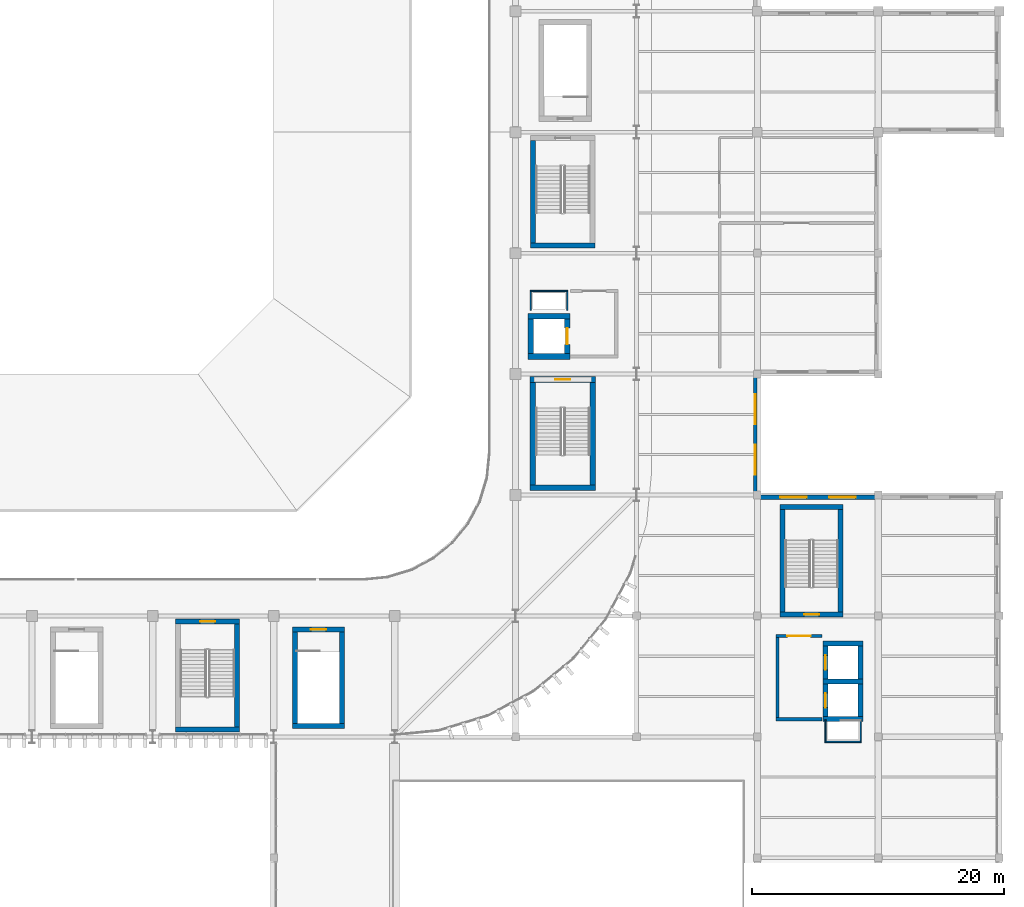
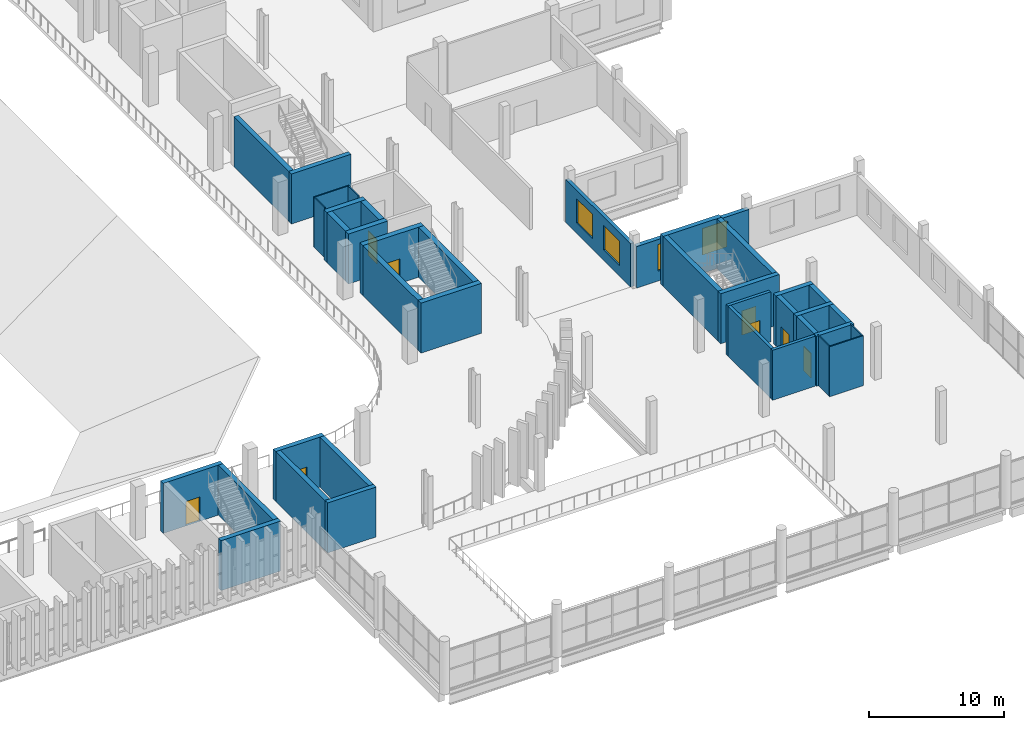
# One storey, part 63 of 99: 39 walls, 8 doors, 4 windows, 12 openings.
"""IFC4 building model written with IfcOpenShell, lengths in metres."""

from ifc_helpers import new_model, si_unit, direction, frame, frame_2d, origin, place, context, subcontext, project, spatial, rectangle, extrude, material, layer, layer_set, type_object, element, fill, save


model = new_model("IFC4")

# Units and contexts
model_context = context("Model", 3, precision=1e-05, world=origin(), true_north=direction((0.0, 1.0)))
body_context = subcontext(model_context, "Body", "Model", "MODEL_VIEW")
ifc_project = project(units=[si_unit("LENGTHUNIT", "METRE"), si_unit("AREAUNIT", "SQUARE_METRE"), si_unit("VOLUMEUNIT", "CUBIC_METRE"), si_unit("PLANEANGLEUNIT", "RADIAN"), si_unit("MASSUNIT", "GRAM", prefix="KILO")], contexts=[model_context])

# Site, building, storey
site_placement = place(None, origin())
site = spatial("IfcSite", under=ifc_project, at=site_placement, CompositionType="ELEMENT")
building_placement = place(site_placement, origin())
building = spatial("IfcBuilding", under=site, at=building_placement, Name="Caelomonte Colonnade Arena", CompositionType="ELEMENT")
storey_placement = place(building_placement, frame((0.0, 0.0, 4.800048828125)))
storey = spatial("IfcBuildingStorey", under=building, at=storey_placement, Name="L01", CompositionType="ELEMENT", Elevation=4.800048828125)

# Wall, openings, windows
ifc_material_1 = material(Name="Precast concrete C40/50", Category="concrete")
ifc_layer_1 = layer(ifc_material_1, 0.2900390625)
ifc_layer_set_1 = layer_set([ifc_layer_1], Name="Precast concrete C40/50")
wall_type_1 = type_object("IfcWallType", Name="ENV-WL-EXT29", PredefinedType="SOLIDWALL", material=ifc_layer_set_1)
wall_1_placement = place(storey_placement, frame((172.6201171875, 38.39990234375, 0.0), z_axis=(0.0, 0.0, 1.0), x_axis=(0.0, 1.0, 0.0)))
wall_1 = element("IfcWall", 1, at=wall_1_placement, inside=storey, type_object=wall_type_1, Name="L01 exterior wall EW-L01-0189", PredefinedType="SOLIDWALL", context=body_context, shape_type="SweptSolid", body=[
    extrude(rectangle(XDim=9.60009765625, YDim=0.2900390625, at=frame_2d((4.800048828125, 0.0))), origin(), (0.0, 0.0, 1.0), 3.912841796875),
])
opening_1_placement = place(wall_1_placement, frame((4.0, 0.0, 0.949951171875), z_axis=(0.0, 0.0, 1.0), x_axis=(-1.0, 0.0, 0.0)))
opening_1 = element("IfcOpeningElement", 2, at=opening_1_placement, cuts=wall_1, Name="Opening WN-04", PredefinedType="OPENING", context=body_context, shape_type="SweptSolid", body=[
    extrude(rectangle(XDim=2.39990234375, YDim=2.199951171875, at=frame_2d((1.199951171875, 1.10009765625))), frame((0.0, 0.155029296875, 0.0), z_axis=(0.0, -1.0, 0.0), x_axis=(1.0, 0.0, 0.0)), (0.0, 0.0, 1.0), 0.31005859375),
])
opening_2_placement = place(wall_1_placement, frame((8.0, 0.0, 0.949951171875), z_axis=(0.0, 0.0, 1.0), x_axis=(-1.0, 0.0, 0.0)))
opening_2 = element("IfcOpeningElement", 3, at=opening_2_placement, cuts=wall_1, Name="Opening WN-04", PredefinedType="OPENING", context=body_context, shape_type="SweptSolid", body=[
    extrude(rectangle(XDim=2.39990234375, YDim=2.199951171875, at=frame_2d((1.199951171875, 1.10009765625))), frame((0.0, 0.155029296875, 0.0), z_axis=(0.0, -1.0, 0.0), x_axis=(1.0, 0.0, 0.0)), (0.0, 0.0, 1.0), 0.31005859375),
])
ifc_material_2 = material(Name="Solar-control bronze low-E double glazing", Category="glass")
window_type_1 = type_object("IfcWindowType", Name="ENV-WN-V4A", PartitioningType="DOUBLE_PANEL_VERTICAL", PredefinedType="WINDOW", material=ifc_material_2)
window_1_placement = place(opening_1_placement, origin())
window_1 = element("IfcWindow", 4, at=window_1_placement, inside=storey, type_object=window_type_1, Name="L01 facade window 79", OverallHeight=2.199951171875, OverallWidth=2.39990234375, PartitioningType="SINGLE_PANEL", PredefinedType="WINDOW", context=body_context, shape_type="SweptSolid", body=[
    extrude(rectangle(XDim=2.39990234375, YDim=2.199951171875, at=frame_2d((1.199951171875, 1.10009765625))), frame((0.0, 0.030029296875, 0.0), z_axis=(0.0, -1.0, 0.0), x_axis=(1.0, 0.0, 0.0)), (0.0, 0.0, 1.0), 0.06005859375),
])
fill(opening_1, window_1)
window_2_placement = place(opening_2_placement, origin())
window_2 = element("IfcWindow", 5, at=window_2_placement, inside=storey, type_object=window_type_1, Name="L01 facade window 80", OverallHeight=2.199951171875, OverallWidth=2.39990234375, PartitioningType="SINGLE_PANEL", PredefinedType="WINDOW", context=body_context, shape_type="SweptSolid", body=[
    extrude(rectangle(XDim=2.39990234375, YDim=2.199951171875, at=frame_2d((1.199951171875, 1.10009765625))), frame((0.0, 0.030029296875, 0.0), z_axis=(0.0, -1.0, 0.0), x_axis=(1.0, 0.0, 0.0)), (0.0, 0.0, 1.0), 0.06005859375),
])
fill(opening_2, window_2)

ifc_layer_2 = layer(ifc_material_1, 0.360107421875)
ifc_layer_set_2 = layer_set([ifc_layer_2], Name="Precast concrete C40/50")
wall_type_2 = type_object("IfcWallType", Name="ENV-WL-EXT36", PredefinedType="SOLIDWALL", material=ifc_layer_set_2)
wall_2_placement = place(storey_placement, frame((182.39990234375, 38.219970703125, 0.0), z_axis=(0.0, 0.0, 1.0), x_axis=(-1.0, 0.0, 0.0)))
wall_2 = element("IfcWall", 6, at=wall_2_placement, inside=storey, type_object=wall_type_2, Name="L01 exterior wall EW-L01-0188", PredefinedType="SOLIDWALL", context=body_context, shape_type="SweptSolid", body=[
    extrude(rectangle(XDim=9.599853515625, YDim=0.360107421875, at=frame_2d((4.7998046875, 0.0))), origin(), (0.0, 0.0, 1.0), 3.758056640625),
])
opening_3_placement = place(wall_2_placement, frame((3.900146484375, 0.0, 0.89990234375), z_axis=(0.0, 0.0, 1.0), x_axis=(-1.0, 0.0, 0.0)))
opening_3 = element("IfcOpeningElement", 7, at=opening_3_placement, cuts=wall_2, Name="Opening WN-02", PredefinedType="OPENING", context=body_context, shape_type="SweptSolid", body=[
    extrude(rectangle(XDim=2.10009765625, YDim=2.39990234375, at=frame_2d((1.050048828125, 1.199951171875))), frame((0.0, 0.18994140625, 0.0), z_axis=(0.0, -1.0, 0.0), x_axis=(1.0, 0.0, 0.0)), (0.0, 0.0, 1.0), 0.380126953125),
])
opening_4_placement = place(wall_2_placement, frame((7.800048828125, 0.0, 0.89990234375), z_axis=(0.0, 0.0, 1.0), x_axis=(-1.0, 0.0, 0.0)))
opening_4 = element("IfcOpeningElement", 8, at=opening_4_placement, cuts=wall_2, Name="Opening WN-02", PredefinedType="OPENING", context=body_context, shape_type="SweptSolid", body=[
    extrude(rectangle(XDim=2.10009765625, YDim=2.39990234375, at=frame_2d((1.050048828125, 1.199951171875))), frame((0.0, 0.18994140625, 0.0), z_axis=(0.0, -1.0, 0.0), x_axis=(1.0, 0.0, 0.0)), (0.0, 0.0, 1.0), 0.380126953125),
])
window_type_2 = type_object("IfcWindowType", Name="ENV-WN-V3B", PartitioningType="DOUBLE_PANEL_VERTICAL", PredefinedType="WINDOW", material=ifc_material_2)
window_3_placement = place(opening_3_placement, origin())
window_3 = element("IfcWindow", 9, at=window_3_placement, inside=storey, type_object=window_type_2, Name="L01 facade window 77", OverallHeight=2.39990234375, OverallWidth=2.10009765625, PartitioningType="SINGLE_PANEL", PredefinedType="WINDOW", context=body_context, shape_type="SweptSolid", body=[
    extrude(rectangle(XDim=2.10009765625, YDim=2.39990234375, at=frame_2d((1.050048828125, 1.199951171875))), frame((0.0, 0.030029296875, 0.0), z_axis=(0.0, -1.0, 0.0), x_axis=(1.0, 0.0, 0.0)), (0.0, 0.0, 1.0), 0.06005859375),
])
fill(opening_3, window_3)
window_4_placement = place(opening_4_placement, origin())
window_4 = element("IfcWindow", 10, at=window_4_placement, inside=storey, type_object=window_type_2, Name="L01 facade window 78", OverallHeight=2.39990234375, OverallWidth=2.10009765625, PartitioningType="SINGLE_PANEL", PredefinedType="WINDOW", context=body_context, shape_type="SweptSolid", body=[
    extrude(rectangle(XDim=2.10009765625, YDim=2.39990234375, at=frame_2d((1.050048828125, 1.199951171875))), frame((0.0, 0.030029296875, 0.0), z_axis=(0.0, -1.0, 0.0), x_axis=(1.0, 0.0, 0.0)), (0.0, 0.0, 1.0), 0.06005859375),
])
fill(opening_4, window_4)

# Wall
ifc_material_3 = material(Name="Concrete C40/50", Category="concrete")
ifc_layer_3 = layer(ifc_material_3, 0.260009765625)
ifc_layer_set_3 = layer_set([ifc_layer_3], Name="Concrete C40/50")
wall_type_3 = type_object("IfcWallType", Name="INT-WL-FW26", PredefinedType="SOLIDWALL", material=ifc_layer_set_3)
wall_3_placement = place(storey_placement, frame((174.27001953125, 20.60009765625, 0.0), z_axis=(0.0, 0.0, 1.0), x_axis=(1.0, 0.0, 0.0)))
element("IfcWall", 11, at=wall_3_placement, inside=storey, type_object=wall_type_3, Name="FW-C5-LB L01 south enclosure wall", PredefinedType="SOLIDWALL", context=body_context, shape_type="SweptSolid", body=[
    extrude(rectangle(XDim=3.659912109375, YDim=0.260009765625, at=frame_2d((1.830078125, 0.0))), origin(), (0.0, 0.0, 1.0), 4.52001953125),
])

# Wall, opening, door
wall_4_placement = place(storey_placement, frame((177.929931640625, 27.199951171875, 0.0), z_axis=(0.0, 0.0, 1.0), x_axis=(-1.0, 0.0, 0.0)))
wall_4 = element("IfcWall", 12, at=wall_4_placement, inside=storey, type_object=wall_type_3, Name="FW-C5-LB L01 north enclosure wall", PredefinedType="SOLIDWALL", context=body_context, shape_type="SweptSolid", body=[
    extrude(rectangle(XDim=3.659912109375, YDim=0.260009765625, at=frame_2d((1.830078125, 0.0))), origin(), (0.0, 0.0, 1.0), 4.52001953125),
])
opening_5_placement = place(wall_4_placement, frame((2.755126953125, 0.0, 0.0), z_axis=(0.0, 0.0, 1.0), x_axis=(-1.0, 0.0, 0.0)))
opening_5 = element("IfcOpeningElement", 13, at=opening_5_placement, cuts=wall_4, Name="Opening FD-2", PredefinedType="OPENING", context=body_context, shape_type="SweptSolid", body=[
    extrude(rectangle(XDim=1.85009765625, YDim=2.25, at=frame_2d((0.925048828125, 1.125))), frame((0.0, 0.139892578125, 0.0), z_axis=(0.0, -1.0, 0.0), x_axis=(1.0, 0.0, 0.0)), (0.0, 0.0, 1.0), 0.280029296875),
])
ifc_material_4 = material(Name="Fire-rated double steel door", Category="steel")
door_type_1 = type_object("IfcDoorType", Name="INT-DR-FD90B", OperationType="DOUBLE_DOOR_SINGLE_SWING", PredefinedType="DOOR", material=ifc_material_4)
door_1_placement = place(opening_5_placement, origin())
door_1 = element("IfcDoor", 14, at=door_1_placement, inside=storey, type_object=door_type_1, Name="Core C5 L01 lobby fire door", OperationType="DOUBLE_DOOR_SINGLE_SWING", OverallHeight=2.25, OverallWidth=1.85009765625, PredefinedType="DOOR", context=body_context, shape_type="SweptSolid", body=[
    extrude(rectangle(XDim=1.85009765625, YDim=2.25, at=frame_2d((0.925048828125, 1.125))), frame((0.0, 0.02490234375, 0.0), z_axis=(0.0, -1.0, 0.0), x_axis=(1.0, 0.0, 0.0)), (0.0, 0.0, 1.0), 0.050048828125),
])
fill(opening_5, door_1)

# Walls
wall_5_placement = place(storey_placement, frame((174.39990234375, 27.070068359375, 0.0), z_axis=(0.0, 0.0, 1.0), x_axis=(0.0, -1.0, 0.0)))
element("IfcWall", 15, at=wall_5_placement, inside=storey, type_object=wall_type_3, Name="FW-C5-LB L01 west enclosure wall", PredefinedType="SOLIDWALL", context=body_context, shape_type="SweptSolid", body=[
    extrude(rectangle(XDim=6.340087890625, YDim=0.260009765625, at=frame_2d((3.169921875, 0.0))), origin(), (0.0, 0.0, 1.0), 4.52001953125),
])
ifc_material_5 = material(Name="Service shaft lining partition")
ifc_layer_4 = layer(ifc_material_5, 0.10009765625)
ifc_layer_set_4 = layer_set([ifc_layer_4], Name="Service shaft lining partition")
wall_type_4 = type_object("IfcWallType", Name="INT-WL-PT10", PredefinedType="PARTITIONING", material=ifc_layer_set_4)
wall_6_placement = place(storey_placement, frame((157.75, 54.60009765625, 0.0), z_axis=(0.0, 0.0, 1.0), x_axis=(-1.0, 0.0, 0.0)))
element("IfcWall", 16, at=wall_6_placement, inside=storey, type_object=wall_type_4, Name="FW-C2-RS L01 north enclosure wall", PredefinedType="PARTITIONING", context=body_context, shape_type="SweptSolid", body=[
    extrude(rectangle(XDim=3.0, YDim=0.10009765625, at=frame_2d((1.5, 0.0))), origin(), (0.0, 0.0, 1.0), 4.52001953125),
])
for number, where, z_axis, x_axis, name in (
    (17, (154.800048828125, 54.550048828125, 0.0), (0.0, 0.0, 1.0), (0.0, -1.0, 0.0), "FW-C2-RS L01 west enclosure wall"),
    (18, (157.699951171875, 53.050048828125, 0.0), (0.0, 0.0, 1.0), (0.0, 1.0, 0.0), "FW-C2-RS L01 east enclosure wall"),
):
    element("IfcWall", number, at=place(storey_placement, frame(where, z_axis=z_axis, x_axis=x_axis)), inside=storey, type_object=wall_type_4, Name=name, PredefinedType="PARTITIONING", context=body_context, shape_type="SweptSolid", body=[
        extrude(rectangle(XDim=1.5, YDim=0.10009765625, at=frame_2d((0.75, 0.0))), origin(), (0.0, 0.0, 1.0), 4.52001953125),
    ])
wall_7_placement = place(storey_placement, frame((178.14990234375, 18.800048828125, 0.0), z_axis=(0.0, 0.0, 1.0), x_axis=(1.0, 0.0, 0.0)))
element("IfcWall", 19, at=wall_7_placement, inside=storey, type_object=wall_type_4, Name="FW-C5-RS L01 south enclosure wall", PredefinedType="PARTITIONING", context=body_context, shape_type="SweptSolid", body=[
    extrude(rectangle(XDim=2.900146484375, YDim=0.10009765625, at=frame_2d((1.4501953125, 0.0))), origin(), (0.0, 0.0, 1.0), 4.52001953125),
])
for number, where, z_axis, x_axis, name in (
    (20, (178.199951171875, 20.550048828125, 0.0), (0.0, 0.0, 1.0), (0.0, -1.0, 0.0), "FW-C5-RS L01 west enclosure wall"),
    (21, (181.0, 18.85009765625, 0.0), (0.0, 0.0, 1.0), (0.0, 1.0, 0.0), "FW-C5-RS L01 east enclosure wall"),
):
    element("IfcWall", number, at=place(storey_placement, frame(where, z_axis=z_axis, x_axis=x_axis)), inside=storey, type_object=wall_type_4, Name=name, PredefinedType="PARTITIONING", context=body_context, shape_type="SweptSolid", body=[
        extrude(rectangle(XDim=1.699951171875, YDim=0.10009765625, at=frame_2d((0.85009765625, 0.0))), origin(), (0.0, 0.0, 1.0), 4.52001953125),
    ])

# Wall, opening, door
ifc_material_6 = material(Name="Concrete C50/60", Category="concrete")
ifc_layer_5 = layer(ifc_material_6, 0.39990234375)
ifc_layer_set_5 = layer_set([ifc_layer_5], Name="Concrete C50/60")
wall_type_5 = type_object("IfcWallType", Name="INT-WL-SH40", PredefinedType="SHEAR", material=ifc_layer_set_5)
wall_8_placement = place(storey_placement, frame((174.60009765625, 28.89990234375, 0.0), z_axis=(0.0, 0.0, 1.0), x_axis=(1.0, 0.0, 0.0)))
wall_8 = element("IfcWall", 22, at=wall_8_placement, inside=storey, type_object=wall_type_5, Name="CW-C5-ST L01 south enclosure wall", PredefinedType="SHEAR", context=body_context, shape_type="SweptSolid", body=[
    extrude(rectangle(XDim=5.0, YDim=0.39990234375, at=frame_2d((2.5, 0.0))), origin(), (0.0, 0.0, 1.0), 4.52001953125),
])
opening_6_placement = place(wall_8_placement, frame((3.099853515625, 0.0, 0.0), z_axis=(0.0, 0.0, 1.0), x_axis=(-1.0, 0.0, 0.0)))
opening_6 = element("IfcOpeningElement", 23, at=opening_6_placement, cuts=wall_8, Name="Opening FD-1", PredefinedType="OPENING", context=body_context, shape_type="SweptSolid", body=[
    extrude(rectangle(XDim=1.199951171875, YDim=2.199951171875, at=frame_2d((0.60009765625, 1.10009765625))), frame((0.0, 0.2099609375, 0.0), z_axis=(0.0, -1.0, 0.0), x_axis=(1.0, 0.0, 0.0)), (0.0, 0.0, 1.0), 0.419921875),
])
ifc_material_7 = material(Name="Fire-rated steel door", Category="steel")
door_type_2 = type_object("IfcDoorType", Name="INT-DR-FD90A", OperationType="NOTDEFINED", PredefinedType="DOOR", material=ifc_material_7)
door_2_placement = place(opening_6_placement, origin())
door_2 = element("IfcDoor", 24, at=door_2_placement, inside=storey, type_object=door_type_2, Name="Core C5 L01 exit stair fire door", OperationType="SINGLE_SWING_RIGHT", OverallHeight=2.199951171875, OverallWidth=1.199951171875, PredefinedType="DOOR", context=body_context, shape_type="SweptSolid", body=[
    extrude(rectangle(XDim=1.199951171875, YDim=2.199951171875, at=frame_2d((0.60009765625, 1.10009765625))), frame((0.0, 0.02490234375, 0.0), z_axis=(0.0, -1.0, 0.0), x_axis=(1.0, 0.0, 0.0)), (0.0, 0.0, 1.0), 0.050048828125),
])
fill(opening_6, door_2)

# Walls
wall_9_placement = place(storey_placement, frame((179.60009765625, 37.449951171875, 0.0), z_axis=(0.0, 0.0, 1.0), x_axis=(-1.0, 0.0, 0.0)))
element("IfcWall", 25, at=wall_9_placement, inside=storey, type_object=wall_type_5, Name="CW-C5-ST L01 north enclosure wall", PredefinedType="SHEAR", context=body_context, shape_type="SweptSolid", body=[
    extrude(rectangle(XDim=5.0, YDim=0.39990234375, at=frame_2d((2.5, 0.0))), origin(), (0.0, 0.0, 1.0), 4.52001953125),
])
for number, where, z_axis, x_axis, name in (
    (26, (174.800048828125, 37.25, 0.0), (0.0, 0.0, 1.0), (0.0, -1.0, 0.0), "CW-C5-ST L01 west enclosure wall"),
    (27, (179.39990234375, 29.10009765625, 0.0), (0.0, 0.0, 1.0), (0.0, 1.0, 0.0), "CW-C5-ST L01 east enclosure wall"),
):
    element("IfcWall", number, at=place(storey_placement, frame(where, z_axis=z_axis, x_axis=x_axis)), inside=storey, type_object=wall_type_5, Name=name, PredefinedType="SHEAR", context=body_context, shape_type="SweptSolid", body=[
        extrude(rectangle(XDim=8.14990234375, YDim=0.39990234375, at=frame_2d((4.074951171875, 0.0))), origin(), (0.0, 0.0, 1.0), 4.52001953125),
    ])
for number, where, z_axis, x_axis, name in (
    (28, (178.0, 20.60009765625, 0.0), (0.0, 0.0, 1.0), (1.0, 0.0, 0.0), "CW-C5-LF L01 south enclosure wall"),
    (29, (181.199951171875, 23.60009765625, 0.0), (0.0, 0.0, 1.0), (-1.0, 0.0, 0.0), "CW-C5-LF L01 north enclosure wall"),
):
    element("IfcWall", number, at=place(storey_placement, frame(where, z_axis=z_axis, x_axis=x_axis)), inside=storey, type_object=wall_type_5, Name=name, PredefinedType="SHEAR", context=body_context, shape_type="SweptSolid", body=[
        extrude(rectangle(XDim=3.199951171875, YDim=0.39990234375, at=frame_2d((1.60009765625, 0.0))), origin(), (0.0, 0.0, 1.0), 4.52001953125),
    ])

# Wall, opening, door
wall_10_placement = place(storey_placement, frame((178.199951171875, 23.39990234375, 0.0), z_axis=(0.0, 0.0, 1.0), x_axis=(0.0, -1.0, 0.0)))
wall_10 = element("IfcWall", 30, at=wall_10_placement, inside=storey, type_object=wall_type_5, Name="CW-C5-LF L01 west enclosure wall", PredefinedType="SHEAR", context=body_context, shape_type="SweptSolid", body=[
    extrude(rectangle(XDim=2.599853515625, YDim=0.39990234375, at=frame_2d((1.2998046875, 0.0))), origin(), (0.0, 0.0, 1.0), 4.52001953125),
])
opening_7_placement = place(wall_10_placement, frame((0.72509765625, 0.0, 0.0), z_axis=(0.0, 0.0, 1.0), x_axis=(1.0, 0.0, 0.0)))
opening_7 = element("IfcOpeningElement", 31, at=opening_7_placement, cuts=wall_10, Name="Opening LD-LF-01-L01", PredefinedType="OPENING", context=body_context, shape_type="SweptSolid", body=[
    extrude(rectangle(XDim=1.14990234375, YDim=2.199951171875, at=frame_2d((0.574951171875, 1.10009765625))), frame((0.0, 0.2099609375, 0.0), z_axis=(0.0, -1.0, 0.0), x_axis=(1.0, 0.0, 0.0)), (0.0, 0.0, 1.0), 0.419921875),
])
ifc_material_8 = material(Name="Stainless steel lift landing door", Category="steel")
door_type_3 = type_object("IfcDoorType", Name="INT-DR-LD1", OperationType="SLIDING_TO_LEFT", PredefinedType="DOOR", material=ifc_material_8)
door_3_placement = place(opening_7_placement, origin())
door_3 = element("IfcDoor", 32, at=door_3_placement, inside=storey, type_object=door_type_3, Name="Lift LF-01 L01 sliding landing door", OperationType="SLIDING_TO_LEFT", OverallHeight=2.199951171875, OverallWidth=1.14990234375, PredefinedType="DOOR", context=body_context, shape_type="SweptSolid", body=[
    extrude(rectangle(XDim=1.14990234375, YDim=2.199951171875, at=frame_2d((0.574951171875, 1.10009765625))), frame((0.0, 0.02490234375, 0.0), z_axis=(0.0, -1.0, 0.0), x_axis=(1.0, 0.0, 0.0)), (0.0, 0.0, 1.0), 0.050048828125),
])
fill(opening_7, door_3)

# Walls
wall_11_placement = place(storey_placement, frame((181.0, 20.800048828125, 0.0), z_axis=(0.0, 0.0, 1.0), x_axis=(0.0, 1.0, 0.0)))
element("IfcWall", 33, at=wall_11_placement, inside=storey, type_object=wall_type_5, Name="CW-C5-LF L01 east enclosure wall", PredefinedType="SHEAR", context=body_context, shape_type="SweptSolid", body=[
    extrude(rectangle(XDim=2.599853515625, YDim=0.39990234375, at=frame_2d((1.2998046875, 0.0))), origin(), (0.0, 0.0, 1.0), 4.52001953125),
])
wall_12_placement = place(storey_placement, frame((181.199951171875, 26.60009765625, 0.0), z_axis=(0.0, 0.0, 1.0), x_axis=(-1.0, 0.0, 0.0)))
element("IfcWall", 34, at=wall_12_placement, inside=storey, type_object=wall_type_5, Name="CW-C5-LF2 L01 north enclosure wall", PredefinedType="SHEAR", context=body_context, shape_type="SweptSolid", body=[
    extrude(rectangle(XDim=3.199951171875, YDim=0.39990234375, at=frame_2d((1.60009765625, 0.0))), origin(), (0.0, 0.0, 1.0), 4.52001953125),
])

# Wall, opening, door
wall_13_placement = place(storey_placement, frame((178.199951171875, 26.39990234375, 0.0), z_axis=(0.0, 0.0, 1.0), x_axis=(0.0, -1.0, 0.0)))
wall_13 = element("IfcWall", 35, at=wall_13_placement, inside=storey, type_object=wall_type_5, Name="CW-C5-LF2 L01 west enclosure wall", PredefinedType="SHEAR", context=body_context, shape_type="SweptSolid", body=[
    extrude(rectangle(XDim=2.599853515625, YDim=0.39990234375, at=frame_2d((1.2998046875, 0.0))), origin(), (0.0, 0.0, 1.0), 4.52001953125),
])
opening_8_placement = place(wall_13_placement, frame((0.72509765625, 0.0, 0.0), z_axis=(0.0, 0.0, 1.0), x_axis=(1.0, 0.0, 0.0)))
opening_8 = element("IfcOpeningElement", 36, at=opening_8_placement, cuts=wall_13, Name="Opening LD-LF-02-L01", PredefinedType="OPENING", context=body_context, shape_type="SweptSolid", body=[
    extrude(rectangle(XDim=1.14990234375, YDim=2.199951171875, at=frame_2d((0.574951171875, 1.10009765625))), frame((0.0, 0.2099609375, 0.0), z_axis=(0.0, -1.0, 0.0), x_axis=(1.0, 0.0, 0.0)), (0.0, 0.0, 1.0), 0.419921875),
])
door_4_placement = place(opening_8_placement, origin())
door_4 = element("IfcDoor", 37, at=door_4_placement, inside=storey, type_object=door_type_3, Name="Lift LF-02 L01 sliding landing door", OperationType="SLIDING_TO_LEFT", OverallHeight=2.199951171875, OverallWidth=1.14990234375, PredefinedType="DOOR", context=body_context, shape_type="SweptSolid", body=[
    extrude(rectangle(XDim=1.14990234375, YDim=2.199951171875, at=frame_2d((0.574951171875, 1.10009765625))), frame((0.0, 0.02490234375, 0.0), z_axis=(0.0, -1.0, 0.0), x_axis=(1.0, 0.0, 0.0)), (0.0, 0.0, 1.0), 0.050048828125),
])
fill(opening_8, door_4)

# Walls
wall_14_placement = place(storey_placement, frame((181.0, 23.800048828125, 0.0), z_axis=(0.0, 0.0, 1.0), x_axis=(0.0, 1.0, 0.0)))
element("IfcWall", 38, at=wall_14_placement, inside=storey, type_object=wall_type_5, Name="CW-C5-LF2 L01 east enclosure wall", PredefinedType="SHEAR", context=body_context, shape_type="SweptSolid", body=[
    extrude(rectangle(XDim=2.599853515625, YDim=0.39990234375, at=frame_2d((1.2998046875, 0.0))), origin(), (0.0, 0.0, 1.0), 4.52001953125),
])
wall_15_placement = place(storey_placement, frame((154.800048828125, 58.199951171875, 0.0), z_axis=(0.0, 0.0, 1.0), x_axis=(1.0, 0.0, 0.0)))
element("IfcWall", 39, at=wall_15_placement, inside=storey, type_object=wall_type_5, Name="CW-ST-10 L01 south enclosure wall", PredefinedType="SHEAR", context=body_context, shape_type="SweptSolid", body=[
    extrude(rectangle(XDim=5.099853515625, YDim=0.39990234375, at=frame_2d((2.5498046875, 0.0))), origin(), (0.0, 0.0, 1.0), 4.52001953125),
])
wall_16_placement = place(storey_placement, frame((155.0, 66.550048828125, 0.0), z_axis=(0.0, 0.0, 1.0), x_axis=(0.0, -1.0, 0.0)))
element("IfcWall", 40, at=wall_16_placement, inside=storey, type_object=wall_type_5, Name="CW-ST-10 L01 west enclosure wall", PredefinedType="SHEAR", context=body_context, shape_type="SweptSolid", body=[
    extrude(rectangle(XDim=8.150146484375, YDim=0.39990234375, at=frame_2d((4.0751953125, 0.0))), origin(), (0.0, 0.0, 1.0), 4.52001953125),
])
wall_17_placement = place(storey_placement, frame((126.60009765625, 19.800048828125, 0.0), z_axis=(0.0, 0.0, 1.0), x_axis=(1.0, 0.0, 0.0)))
element("IfcWall", 41, at=wall_17_placement, inside=storey, type_object=wall_type_5, Name="CW-ST-13 L01 south enclosure wall", PredefinedType="SHEAR", context=body_context, shape_type="SweptSolid", body=[
    extrude(rectangle(XDim=5.099853515625, YDim=0.39990234375, at=frame_2d((2.5498046875, 0.0))), origin(), (0.0, 0.0, 1.0), 4.52001953125),
])

# Wall, opening, door
wall_18_placement = place(storey_placement, frame((131.699951171875, 28.35009765625, 0.0), z_axis=(0.0, 0.0, 1.0), x_axis=(-1.0, 0.0, 0.0)))
wall_18 = element("IfcWall", 42, at=wall_18_placement, inside=storey, type_object=wall_type_5, Name="CW-ST-13 L01 north enclosure wall", PredefinedType="SHEAR", context=body_context, shape_type="SweptSolid", body=[
    extrude(rectangle(XDim=5.099853515625, YDim=0.39990234375, at=frame_2d((2.5498046875, 0.0))), origin(), (0.0, 0.0, 1.0), 4.52001953125),
])
opening_9_placement = place(wall_18_placement, frame((3.14990234375, 0.0, 0.0), z_axis=(0.0, 0.0, 1.0), x_axis=(-1.0, 0.0, 0.0)))
opening_9 = element("IfcOpeningElement", 43, at=opening_9_placement, cuts=wall_18, Name="Opening FD-1", PredefinedType="OPENING", context=body_context, shape_type="SweptSolid", body=[
    extrude(rectangle(XDim=1.199951171875, YDim=2.199951171875, at=frame_2d((0.60009765625, 1.10009765625))), frame((0.0, 0.2099609375, 0.0), z_axis=(0.0, -1.0, 0.0), x_axis=(1.0, 0.0, 0.0)), (0.0, 0.0, 1.0), 0.419921875),
])
door_5_placement = place(opening_9_placement, origin())
door_5 = element("IfcDoor", 44, at=door_5_placement, inside=storey, type_object=door_type_2, Name="Protected exit stair ST-13 L01 fire door", OperationType="SINGLE_SWING_RIGHT", OverallHeight=2.199951171875, OverallWidth=1.199951171875, PredefinedType="DOOR", context=body_context, shape_type="SweptSolid", body=[
    extrude(rectangle(XDim=1.199951171875, YDim=2.199951171875, at=frame_2d((0.60009765625, 1.10009765625))), frame((0.0, 0.02490234375, 0.0), z_axis=(0.0, -1.0, 0.0), x_axis=(1.0, 0.0, 0.0)), (0.0, 0.0, 1.0), 0.050048828125),
])
fill(opening_9, door_5)

# Walls
wall_19_placement = place(storey_placement, frame((131.5, 20.0, 0.0), z_axis=(0.0, 0.0, 1.0), x_axis=(0.0, 1.0, 0.0)))
element("IfcWall", 45, at=wall_19_placement, inside=storey, type_object=wall_type_5, Name="CW-ST-13 L01 east enclosure wall", PredefinedType="SHEAR", context=body_context, shape_type="SweptSolid", body=[
    extrude(rectangle(XDim=8.14990234375, YDim=0.39990234375, at=frame_2d((4.074951171875, 0.0))), origin(), (0.0, 0.0, 1.0), 4.52001953125),
])
wall_20_placement = place(storey_placement, frame((135.8701171875, 20.070068359375, 0.0), z_axis=(0.0, 0.0, 1.0), x_axis=(1.0, 0.0, 0.0)))
element("IfcWall", 46, at=wall_20_placement, inside=storey, type_object=wall_type_5, Name="CW-ST-V04 L01 south enclosure wall", PredefinedType="SHEAR", context=body_context, shape_type="SweptSolid", body=[
    extrude(rectangle(XDim=4.159912109375, YDim=0.39990234375, at=frame_2d((2.080078125, 0.0))), origin(), (0.0, 0.0, 1.0), 4.52001953125),
])

# Wall, opening, door
wall_21_placement = place(storey_placement, frame((140.030029296875, 27.72998046875, 0.0), z_axis=(0.0, 0.0, 1.0), x_axis=(-1.0, 0.0, 0.0)))
wall_21 = element("IfcWall", 47, at=wall_21_placement, inside=storey, type_object=wall_type_5, Name="CW-ST-V04 L01 north enclosure wall", PredefinedType="SHEAR", context=body_context, shape_type="SweptSolid", body=[
    extrude(rectangle(XDim=4.159912109375, YDim=0.39990234375, at=frame_2d((2.080078125, 0.0))), origin(), (0.0, 0.0, 1.0), 4.52001953125),
])
opening_10_placement = place(wall_21_placement, frame((2.679931640625, 0.0, 0.0), z_axis=(0.0, 0.0, 1.0), x_axis=(-1.0, 0.0, 0.0)))
opening_10 = element("IfcOpeningElement", 48, at=opening_10_placement, cuts=wall_21, Name="Opening FD-1", PredefinedType="OPENING", context=body_context, shape_type="SweptSolid", body=[
    extrude(rectangle(XDim=1.199951171875, YDim=2.199951171875, at=frame_2d((0.60009765625, 1.10009765625))), frame((0.0, 0.2099609375, 0.0), z_axis=(0.0, -1.0, 0.0), x_axis=(1.0, 0.0, 0.0)), (0.0, 0.0, 1.0), 0.419921875),
])
door_6_placement = place(opening_10_placement, origin())
door_6 = element("IfcDoor", 49, at=door_6_placement, inside=storey, type_object=door_type_2, Name="Vomitory VOM-04 stair ST-V04 L01 portal door", OperationType="SINGLE_SWING_LEFT", OverallHeight=2.199951171875, OverallWidth=1.199951171875, PredefinedType="DOOR", context=body_context, shape_type="SweptSolid", body=[
    extrude(rectangle(XDim=1.199951171875, YDim=2.199951171875, at=frame_2d((0.60009765625, 1.10009765625))), frame((0.0, 0.02490234375, 0.0), z_axis=(0.0, -1.0, 0.0), x_axis=(1.0, 0.0, 0.0)), (0.0, 0.0, 1.0), 0.050048828125),
])
fill(opening_10, door_6)

# Walls
for number, where, z_axis, x_axis, name in (
    (50, (136.070068359375, 27.530029296875, 0.0), (0.0, 0.0, 1.0), (0.0, -1.0, 0.0), "CW-ST-V04 L01 west enclosure wall"),
    (51, (139.830078125, 20.27001953125, 0.0), (0.0, 0.0, 1.0), (0.0, 1.0, 0.0), "CW-ST-V04 L01 east enclosure wall"),
):
    element("IfcWall", number, at=place(storey_placement, frame(where, z_axis=z_axis, x_axis=x_axis)), inside=storey, type_object=wall_type_5, Name=name, PredefinedType="SHEAR", context=body_context, shape_type="SweptSolid", body=[
        extrude(rectangle(XDim=7.260009765625, YDim=0.39990234375, at=frame_2d((3.6298828125, 0.0))), origin(), (0.0, 0.0, 1.0), 4.52001953125),
    ])
ifc_layer_6 = layer(ifc_material_6, 0.449951171875)
ifc_layer_set_6 = layer_set([ifc_layer_6], Name="Concrete C50/60")
wall_type_6 = type_object("IfcWallType", Name="INT-WL-SH45", PredefinedType="SHEAR", material=ifc_layer_set_6)
wall_22_placement = place(storey_placement, frame((154.75, 38.97509765625, 0.0), z_axis=(0.0, 0.0, 1.0), x_axis=(1.0, 0.0, 0.0)))
element("IfcWall", 52, at=wall_22_placement, inside=storey, type_object=wall_type_6, Name="CW-C2-ST L01 south enclosure wall", PredefinedType="SHEAR", context=body_context, shape_type="SweptSolid", body=[
    extrude(rectangle(XDim=5.199951171875, YDim=0.449951171875, at=frame_2d((2.60009765625, 0.0))), origin(), (0.0, 0.0, 1.0), 4.52001953125),
])

# Wall, opening, door
wall_23_placement = place(storey_placement, frame((159.949951171875, 47.574951171875, 0.0), z_axis=(0.0, 0.0, 1.0), x_axis=(-1.0, 0.0, 0.0)))
wall_23 = element("IfcWall", 53, at=wall_23_placement, inside=storey, type_object=wall_type_6, Name="CW-C2-ST L01 north enclosure wall", PredefinedType="SHEAR", context=body_context, shape_type="SweptSolid", body=[
    extrude(rectangle(XDim=5.199951171875, YDim=0.449951171875, at=frame_2d((2.60009765625, 0.0))), origin(), (0.0, 0.0, 1.0), 4.52001953125),
])
opening_11_placement = place(wall_23_placement, frame((3.199951171875, 0.0, 0.0), z_axis=(0.0, 0.0, 1.0), x_axis=(-1.0, 0.0, 0.0)))
opening_11 = element("IfcOpeningElement", 54, at=opening_11_placement, cuts=wall_23, Name="Opening FD-1", PredefinedType="OPENING", context=body_context, shape_type="SweptSolid", body=[
    extrude(rectangle(XDim=1.199951171875, YDim=2.199951171875, at=frame_2d((0.60009765625, 1.10009765625))), frame((0.0, 0.23486328125, 0.0), z_axis=(0.0, -1.0, 0.0), x_axis=(1.0, 0.0, 0.0)), (0.0, 0.0, 1.0), 0.469970703125),
])
door_7_placement = place(opening_11_placement, origin())
door_7 = element("IfcDoor", 55, at=door_7_placement, inside=storey, type_object=door_type_2, Name="Core C2 L01 exit stair fire door", OperationType="SINGLE_SWING_RIGHT", OverallHeight=2.199951171875, OverallWidth=1.199951171875, PredefinedType="DOOR", context=body_context, shape_type="SweptSolid", body=[
    extrude(rectangle(XDim=1.199951171875, YDim=2.199951171875, at=frame_2d((0.60009765625, 1.10009765625))), frame((0.0, 0.02490234375, 0.0), z_axis=(0.0, -1.0, 0.0), x_axis=(1.0, 0.0, 0.0)), (0.0, 0.0, 1.0), 0.050048828125),
])
fill(opening_11, door_7)

# Walls
for number, where, z_axis, x_axis, name in (
    (56, (154.97509765625, 47.35009765625, 0.0), (0.0, 0.0, 1.0), (0.0, -1.0, 0.0), "CW-C2-ST L01 west enclosure wall"),
    (57, (159.72509765625, 39.199951171875, 0.0), (0.0, 0.0, 1.0), (0.0, 1.0, 0.0), "CW-C2-ST L01 east enclosure wall"),
):
    element("IfcWall", number, at=place(storey_placement, frame(where, z_axis=z_axis, x_axis=x_axis)), inside=storey, type_object=wall_type_6, Name=name, PredefinedType="SHEAR", context=body_context, shape_type="SweptSolid", body=[
        extrude(rectangle(XDim=8.150146484375, YDim=0.449951171875, at=frame_2d((4.0751953125, 0.0))), origin(), (0.0, 0.0, 1.0), 4.52001953125),
    ])
for number, where, z_axis, x_axis, name in (
    (58, (154.574951171875, 49.39990234375, 0.0), (0.0, 0.0, 1.0), (1.0, 0.0, 0.0), "CW-C2-LF L01 south enclosure wall"),
    (59, (157.925048828125, 52.60009765625, 0.0), (0.0, 0.0, 1.0), (-1.0, 0.0, 0.0), "CW-C2-LF L01 north enclosure wall"),
):
    element("IfcWall", number, at=place(storey_placement, frame(where, z_axis=z_axis, x_axis=x_axis)), inside=storey, type_object=wall_type_6, Name=name, PredefinedType="SHEAR", context=body_context, shape_type="SweptSolid", body=[
        extrude(rectangle(XDim=3.35009765625, YDim=0.449951171875, at=frame_2d((1.675048828125, 0.0))), origin(), (0.0, 0.0, 1.0), 4.52001953125),
    ])
wall_24_placement = place(storey_placement, frame((154.800048828125, 52.375, 0.0), z_axis=(0.0, 0.0, 1.0), x_axis=(0.0, -1.0, 0.0)))
element("IfcWall", 60, at=wall_24_placement, inside=storey, type_object=wall_type_6, Name="CW-C2-LF L01 west enclosure wall", PredefinedType="SHEAR", context=body_context, shape_type="SweptSolid", body=[
    extrude(rectangle(XDim=2.75, YDim=0.449951171875, at=frame_2d((1.375, 0.0))), origin(), (0.0, 0.0, 1.0), 4.52001953125),
])

# Wall, opening, door
wall_25_placement = place(storey_placement, frame((157.699951171875, 49.625, 0.0), z_axis=(0.0, 0.0, 1.0), x_axis=(0.0, 1.0, 0.0)))
wall_25 = element("IfcWall", 61, at=wall_25_placement, inside=storey, type_object=wall_type_6, Name="CW-C2-LF L01 east enclosure wall", PredefinedType="SHEAR", context=body_context, shape_type="SweptSolid", body=[
    extrude(rectangle(XDim=2.75, YDim=0.449951171875, at=frame_2d((1.375, 0.0))), origin(), (0.0, 0.0, 1.0), 4.52001953125),
])
opening_12_placement = place(wall_25_placement, frame((0.72509765625, 0.0, 0.0), z_axis=(0.0, 0.0, 1.0), x_axis=(1.0, 0.0, 0.0)))
opening_12 = element("IfcOpeningElement", 62, at=opening_12_placement, cuts=wall_25, Name="Opening LD-FL-02-L01", PredefinedType="OPENING", context=body_context, shape_type="SweptSolid", body=[
    extrude(rectangle(XDim=1.300048828125, YDim=2.25, at=frame_2d((0.64990234375, 1.125))), frame((0.0, 0.23486328125, 0.0), z_axis=(0.0, -1.0, 0.0), x_axis=(1.0, 0.0, 0.0)), (0.0, 0.0, 1.0), 0.469970703125),
])
ifc_material_9 = material(Name="Firefighting lift landing door")
door_type_4 = type_object("IfcDoorType", Name="INT-DR-LD2", OperationType="SLIDING_TO_RIGHT", PredefinedType="DOOR", material=ifc_material_9)
door_8_placement = place(opening_12_placement, origin())
door_8 = element("IfcDoor", 63, at=door_8_placement, inside=storey, type_object=door_type_4, Name="Lift FL-02 L01 sliding landing door", OperationType="SLIDING_TO_RIGHT", OverallHeight=2.25, OverallWidth=1.300048828125, PredefinedType="DOOR", context=body_context, shape_type="SweptSolid", body=[
    extrude(rectangle(XDim=1.300048828125, YDim=2.25, at=frame_2d((0.64990234375, 1.125))), frame((0.0, 0.02490234375, 0.0), z_axis=(0.0, -1.0, 0.0), x_axis=(1.0, 0.0, 0.0)), (0.0, 0.0, 1.0), 0.050048828125),
])
fill(opening_12, door_8)

save(model, "model.ifc")
